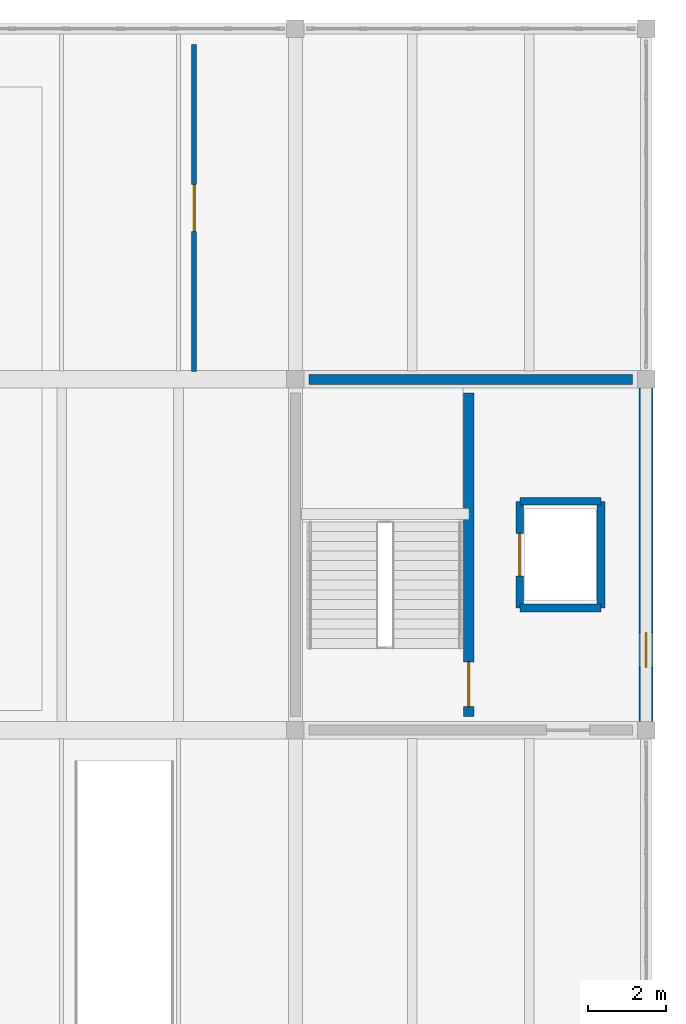
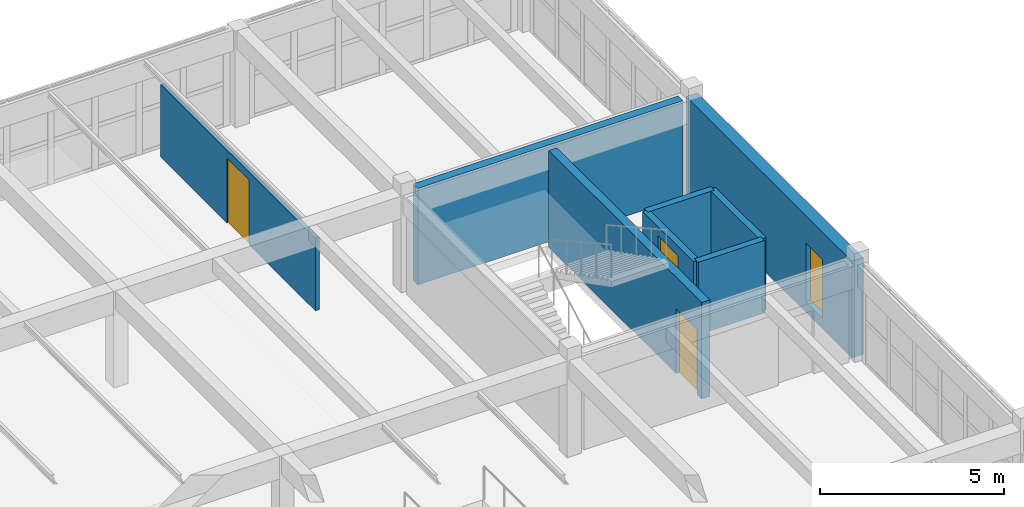
# One storey, part 70 of 80: 8 walls, 3 doors, 1 window, 4 openings.
"""IFC4 building model written with IfcOpenShell, lengths in metres."""

from ifc_helpers import new_model, si_unit, direction, frame, frame_2d, origin, place, context, subcontext, project, spatial, rectangle, extrude, material, layer, layer_set, type_object, element, fill, save


model = new_model("IFC4")

# Units and contexts
model_context = context("Model", 3, precision=1e-05, world=origin(), true_north=direction((0.0, 1.0)))
body_context = subcontext(model_context, "Body", "Model", "MODEL_VIEW")
ifc_project = project(units=[si_unit("LENGTHUNIT", "METRE"), si_unit("AREAUNIT", "SQUARE_METRE"), si_unit("VOLUMEUNIT", "CUBIC_METRE"), si_unit("PLANEANGLEUNIT", "RADIAN"), si_unit("MASSUNIT", "GRAM", prefix="KILO")], contexts=[model_context])

# Site, building, storey
site_placement = place(None, origin())
site = spatial("IfcSite", under=ifc_project, at=site_placement, CompositionType="ELEMENT")
building_placement = place(site_placement, origin())
building = spatial("IfcBuilding", under=site, at=building_placement, Name="Ornek Quay Market", CompositionType="ELEMENT")
storey_placement = place(building_placement, frame((0.0, 0.0, 8.39990234375)))
storey = spatial("IfcBuildingStorey", under=building, at=storey_placement, Name="L02", CompositionType="ELEMENT", Elevation=8.39990234375)

# Wall, opening, door
ifc_material_1 = material(Name="Concrete C40/50", Category="concrete")
ifc_layer_1 = layer(ifc_material_1, 0.260009765625, Name="Concrete C40/50", Category="concrete")
ifc_layer_set_1 = layer_set([ifc_layer_1], Name="Concrete C40/50")
wall_type_1 = type_object("IfcWallType", Name="WL-CORE-260", PredefinedType="SHEAR", material=ifc_layer_set_1)
wall_1_placement = place(storey_placement, frame((175.449951171875, 92.35009765625, 0.0), z_axis=(0.0, 0.0, 1.0), x_axis=(0.0, 1.0, 0.0)))
wall_1 = element("IfcWall", 1, at=wall_1_placement, inside=storey, type_object=wall_type_1, Name="Interior wall W-CORE2-138", PredefinedType="SHEAR", context=body_context, shape_type="SweptSolid", body=[
    extrude(rectangle(XDim=8.2998046875, YDim=0.260009765625, at=frame_2d((4.14990234375, 0.0))), origin(), (0.0, 0.0, 1.0), 3.2001953125),
])
opening_1_placement = place(wall_1_placement, frame((0.25, 0.0, 0.0)))
opening_1 = element("IfcOpeningElement", 2, at=opening_1_placement, cuts=wall_1, Name="Opening FD-03-052", PredefinedType="OPENING", context=body_context, shape_type="SweptSolid", body=[
    extrude(rectangle(XDim=1.14990234375, YDim=2.14990234375, at=frame_2d((0.574951171875, 1.074951171875))), frame((0.0, 0.139892578125, 0.0), z_axis=(0.0, -1.0, 0.0), x_axis=(1.0, 0.0, 0.0)), (0.0, 0.0, 1.0), 0.280029296875),
])
ifc_material_2 = material(Name="Insulated fire-rated painted steel", Category="steel")
door_type_1 = type_object("IfcDoorType", Name="DR-FIRE-STAIR-1150x2150", OperationType="NOTDEFINED", PredefinedType="DOOR", material=ifc_material_2)
door_1_placement = place(opening_1_placement, origin())
door_1 = element("IfcDoor", 3, at=door_1_placement, inside=storey, type_object=door_type_1, Name="Interior door FD-03-052", OperationType="SINGLE_SWING_LEFT", OverallHeight=2.14990234375, OverallWidth=1.14990234375, PredefinedType="DOOR", context=body_context, shape_type="SweptSolid", body=[
    extrude(rectangle(XDim=1.14990234375, YDim=2.14990234375, at=frame_2d((0.574951171875, 1.074951171875))), frame((0.0, 0.02490234375, 0.0), z_axis=(0.0, -1.0, 0.0), x_axis=(1.0, 0.0, 0.0)), (0.0, 0.0, 1.0), 0.050048828125),
])
fill(opening_1, door_1)

# Wall
wall_2_placement = place(storey_placement, frame((171.35009765625, 101.0, 0.0), z_axis=(0.0, 0.0, 1.0), x_axis=(1.0, 0.0, 0.0)))
element("IfcWall", 4, at=wall_2_placement, inside=storey, type_object=wall_type_1, Name="Interior wall W-CORE2-141", PredefinedType="SHEAR", context=body_context, shape_type="SweptSolid", body=[
    extrude(rectangle(XDim=8.2998046875, YDim=0.260009765625, at=frame_2d((4.14990234375, 0.0))), origin(), (0.0, 0.0, 1.0), 3.2001953125),
])

# Wall, opening, window
ifc_material_3 = material(Name="Frost-resistant facing clay brick M200 F100", Category="masonry")
ifc_layer_2 = layer(ifc_material_3, 0.360107421875, Name="Frost-resistant facing clay brick M200 F100", Category="masonry")
ifc_layer_set_2 = layer_set([ifc_layer_2], Name="Frost-resistant facing clay brick M200 F100")
wall_type_2 = type_object("IfcWallType", Name="WL-EXT-FC-360", PredefinedType="STANDARD", material=ifc_layer_set_2)
wall_3_placement = place(storey_placement, frame((180.0, 101.0, 0.0), z_axis=(0.0, 0.0, 1.0), x_axis=(0.0, -1.0, 0.0)))
wall_3 = element("IfcWall", 5, at=wall_3_placement, inside=storey, type_object=wall_type_2, Name="Exterior wall EW-169", PredefinedType="STANDARD", context=body_context, shape_type="SweptSolid", body=[
    extrude(rectangle(XDim=9.0, YDim=0.360107421875, at=frame_2d((4.5, 0.0))), origin(), (0.0, 0.0, 1.0), 3.2001953125),
])
opening_2_placement = place(wall_3_placement, frame((6.5, 0.0, 0.35009765625)))
opening_2 = element("IfcOpeningElement", 6, at=opening_2_placement, cuts=wall_3, Name="Opening W-17-141", PredefinedType="OPENING", context=body_context, shape_type="SweptSolid", body=[
    extrude(rectangle(XDim=0.89990234375, YDim=1.93994140625, at=frame_2d((0.449951171875, 0.969970703125))), frame((0.0, 0.18994140625, 0.0), z_axis=(0.0, -1.0, 0.0), x_axis=(1.0, 0.0, 0.0)), (0.0, 0.0, 1.0), 0.380126953125),
])
ifc_material_4 = material(Name="Thermally broken bronze aluminium and triple low-e glass", Category="aluminium")
window_type = type_object("IfcWindowType", Name="WN-CORE-900x2400", PartitioningType="SINGLE_PANEL", PredefinedType="WINDOW", material=ifc_material_4)
window_placement = place(opening_2_placement, origin())
window = element("IfcWindow", 7, at=window_placement, inside=storey, type_object=window_type, Name="Window W-17-141", OverallHeight=1.93994140625, OverallWidth=0.89990234375, PartitioningType="SINGLE_PANEL", PredefinedType="WINDOW", context=body_context, shape_type="SweptSolid", body=[
    extrude(rectangle(XDim=0.89990234375, YDim=1.93994140625, at=frame_2d((0.449951171875, 0.969970703125))), frame((0.0, 0.030029296875, 0.0), z_axis=(0.0, -1.0, 0.0), x_axis=(1.0, 0.0, 0.0)), (0.0, 0.0, 1.0), 0.06005859375),
])
fill(opening_2, window)

# Wall, opening, door
ifc_material_5 = material(Name="Acoustic stud partition", Category="other")
ifc_layer_3 = layer(ifc_material_5, 0.125, Name="Acoustic stud partition", Category="other")
ifc_layer_set_3 = layer_set([ifc_layer_3], Name="Acoustic stud partition")
wall_type_3 = type_object("IfcWallType", Name="WL-OFF-125", PredefinedType="PARTITIONING", material=ifc_layer_set_3)
wall_4_placement = place(storey_placement, frame((168.39990234375, 101.199951171875, 0.0), z_axis=(0.0, 0.0, 1.0), x_axis=(0.0, 1.0, 0.0)))
wall_4 = element("IfcWall", 8, at=wall_4_placement, inside=storey, type_object=wall_type_3, Name="Interior wall W-INT5-398", PredefinedType="PARTITIONING", context=body_context, shape_type="SweptSolid", body=[
    extrude(rectangle(XDim=8.400146484375, YDim=0.125, at=frame_2d((4.2001953125, 0.0))), origin(), (0.0, 0.0, 1.0), 2.400146484375),
])
opening_3_placement = place(wall_4_placement, frame((3.60009765625, 0.0, 0.0)))
opening_3 = element("IfcOpeningElement", 9, at=opening_3_placement, cuts=wall_4, Name="Opening ID-02-196", PredefinedType="OPENING", context=body_context, shape_type="SweptSolid", body=[
    extrude(rectangle(XDim=1.199951171875, YDim=2.14990234375, at=frame_2d((0.60009765625, 1.074951171875))), frame((0.0, 0.072509765625, 0.0), z_axis=(0.0, -1.0, 0.0), x_axis=(1.0, 0.0, 0.0)), (0.0, 0.0, 1.0), 0.14501953125),
])
ifc_material_6 = material(Name="Acoustic solid oak door", Category="other")
door_type_2 = type_object("IfcDoorType", Name="DR-INT-STUDIO-1200x2150", OperationType="NOTDEFINED", PredefinedType="DOOR", material=ifc_material_6)
door_2_placement = place(opening_3_placement, origin())
door_2 = element("IfcDoor", 10, at=door_2_placement, inside=storey, type_object=door_type_2, Name="Interior door ID-02-196", OperationType="SINGLE_SWING_LEFT", OverallHeight=2.14990234375, OverallWidth=1.199951171875, PredefinedType="DOOR", context=body_context, shape_type="SweptSolid", body=[
    extrude(rectangle(XDim=1.199951171875, YDim=2.14990234375, at=frame_2d((0.60009765625, 1.074951171875))), frame((0.0, 0.02490234375, 0.0), z_axis=(0.0, -1.0, 0.0), x_axis=(1.0, 0.0, 0.0)), (0.0, 0.0, 1.0), 0.050048828125),
])
fill(opening_3, door_2)

ifc_material_7 = material(Name="Concrete C35/45", Category="concrete")
ifc_layer_4 = layer(ifc_material_7, 0.199951171875, Name="Concrete C35/45", Category="concrete")
ifc_layer_set_4 = layer_set([ifc_layer_4], Name="Concrete C35/45")
wall_type_4 = type_object("IfcWallType", Name="WL-SHAFT-200", PredefinedType="SOLIDWALL", material=ifc_layer_set_4)
wall_5_placement = place(storey_placement, frame((176.760009765625, 95.1298828125, 0.0), z_axis=(0.0, 0.0, 1.0), x_axis=(0.0, 1.0, 0.0)))
wall_5 = element("IfcWall", 11, at=wall_5_placement, inside=storey, type_object=wall_type_4, Name="Interior wall W-CORE3-142", PredefinedType="SOLIDWALL", context=body_context, shape_type="SweptSolid", body=[
    extrude(rectangle(XDim=2.740234375, YDim=0.199951171875, at=frame_2d((1.3701171875, 0.0))), origin(), (0.0, 0.0, 1.0), 2.400146484375),
])
opening_4_placement = place(wall_5_placement, frame((0.820068359375, 0.0, 0.0)))
opening_4 = element("IfcOpeningElement", 12, at=opening_4_placement, cuts=wall_5, Name="Opening LD-01-054", PredefinedType="OPENING", context=body_context, shape_type="SweptSolid", body=[
    extrude(rectangle(XDim=1.10009765625, YDim=2.10009765625, at=frame_2d((0.550048828125, 1.050048828125))), frame((0.0, 0.10986328125, 0.0), z_axis=(0.0, -1.0, 0.0), x_axis=(1.0, 0.0, 0.0)), (0.0, 0.0, 1.0), 0.219970703125),
])
ifc_material_8 = material(Name="Brushed stainless steel landing door", Category="steel")
door_type_3 = type_object("IfcDoorType", Name="DR-LIFT-1100x2100", OperationType="SLIDING_TO_LEFT", PredefinedType="DOOR", material=ifc_material_8)
door_3_placement = place(opening_4_placement, origin())
door_3 = element("IfcDoor", 13, at=door_3_placement, inside=storey, type_object=door_type_3, Name="Interior door LD-01-054", OperationType="SLIDING_TO_LEFT", OverallHeight=2.10009765625, OverallWidth=1.10009765625, PredefinedType="DOOR", context=body_context, shape_type="SweptSolid", body=[
    extrude(rectangle(XDim=1.10009765625, YDim=2.10009765625, at=frame_2d((0.550048828125, 1.050048828125))), frame((0.0, 0.02490234375, 0.0), z_axis=(0.0, -1.0, 0.0), x_axis=(1.0, 0.0, 0.0)), (0.0, 0.0, 1.0), 0.050048828125),
])
fill(opening_4, door_3)

# Walls
for number, where, z_axis, x_axis, name in (
    (14, (176.760009765625, 95.1298828125, 0.0), (0.0, 0.0, 1.0), (1.0, 0.0, 0.0), "Interior wall W-CORE3-143"),
    (15, (176.760009765625, 97.8701171875, 0.0), (0.0, 0.0, 1.0), (1.0, 0.0, 0.0), "Interior wall W-CORE3-144"),
):
    element("IfcWall", number, at=place(storey_placement, frame(where, z_axis=z_axis, x_axis=x_axis)), inside=storey, type_object=wall_type_4, Name=name, PredefinedType="SOLIDWALL", context=body_context, shape_type="SweptSolid", body=[
        extrude(rectangle(XDim=2.080078125, YDim=0.199951171875, at=frame_2d((1.0400390625, 0.0))), origin(), (0.0, 0.0, 1.0), 2.400146484375),
    ])
wall_6_placement = place(storey_placement, frame((178.840087890625, 95.1298828125, 0.0), z_axis=(0.0, 0.0, 1.0), x_axis=(0.0, 1.0, 0.0)))
element("IfcWall", 16, at=wall_6_placement, inside=storey, type_object=wall_type_4, Name="Interior wall W-CORE3-145", PredefinedType="SOLIDWALL", context=body_context, shape_type="SweptSolid", body=[
    extrude(rectangle(XDim=2.740234375, YDim=0.199951171875, at=frame_2d((1.3701171875, 0.0))), origin(), (0.0, 0.0, 1.0), 2.400146484375),
])

save(model, "model.ifc")
